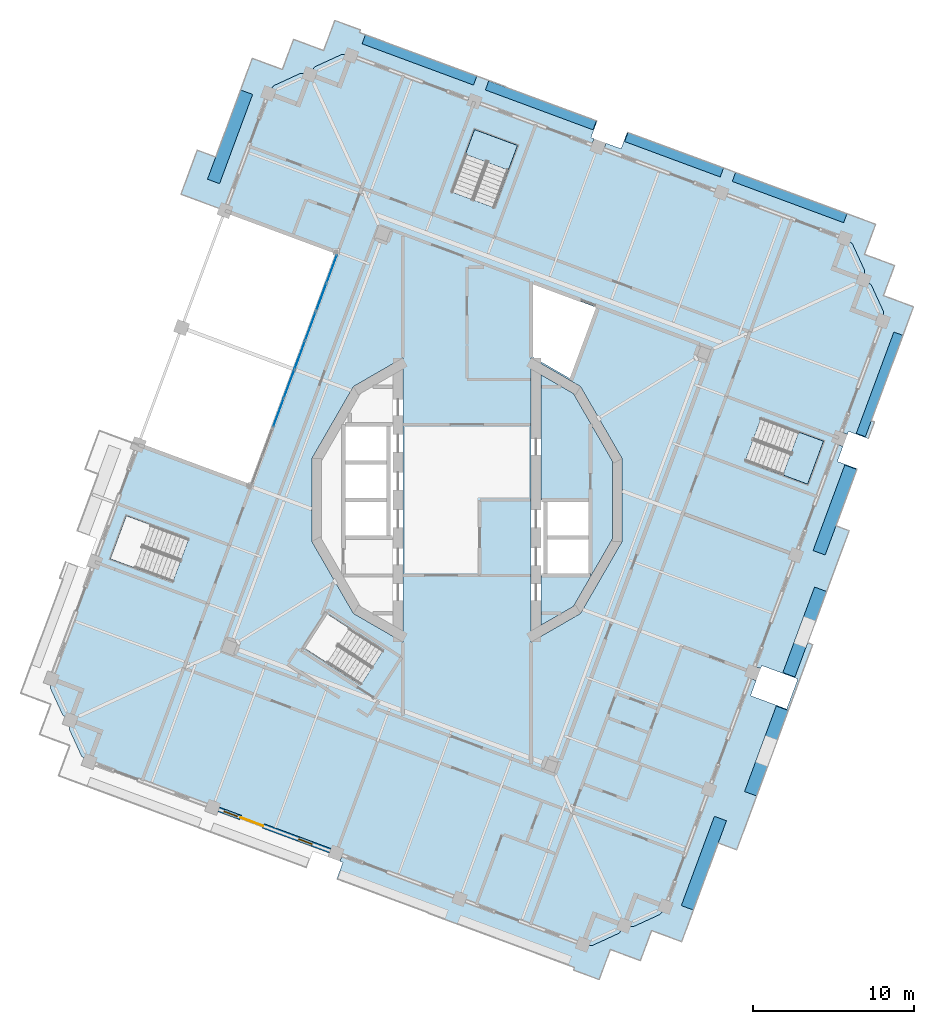
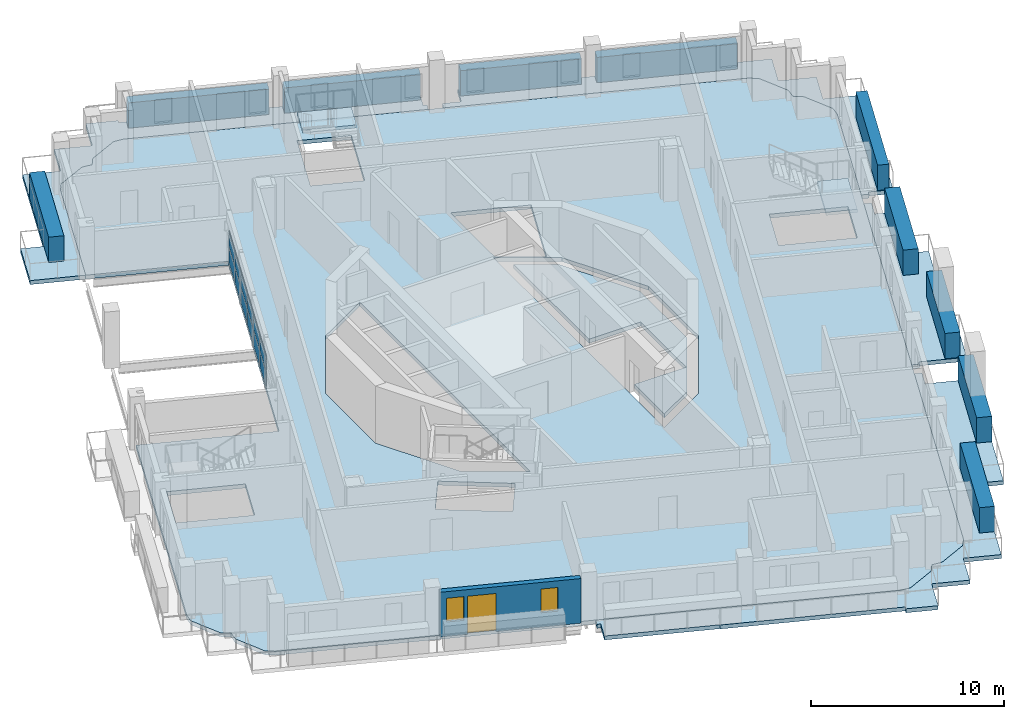
# One storey, part 6 of 20: 22 plates, 7 slabs, 2 windows, 1 door, 1 wall, 3 openings, 3 elements without a shape of their own.
"""IFC4 building model written with IfcOpenShell, lengths in metres."""

from ifc_helpers import new_model, si_unit, direction, frame, frame_2d, origin, origin_2d, place, context, subcontext, project, spatial, polyline, rectangle, outline, extrude, material, layer, layer_set, type_object, element, fill, aggregate, save


model = new_model("IFC4")

# Units and contexts
model_context = context("Model", 3, precision=1e-05, world=origin(), true_north=direction((0.0, 1.0)))
body_context = subcontext(model_context, "Body", "Model", "MODEL_VIEW")
ifc_project = project(units=[si_unit("LENGTHUNIT", "METRE"), si_unit("AREAUNIT", "SQUARE_METRE"), si_unit("VOLUMEUNIT", "CUBIC_METRE"), si_unit("PLANEANGLEUNIT", "RADIAN"), si_unit("MASSUNIT", "GRAM", prefix="KILO")], contexts=[model_context])

# Site, building, storey
site_placement = place(None, origin())
site = spatial("IfcSite", under=ifc_project, at=site_placement, CompositionType="ELEMENT")
building_placement = place(site_placement, origin())
building = spatial("IfcBuilding", under=site, at=building_placement, Name="Cantera Rosa Tower", CompositionType="ELEMENT")
storey_placement = place(building_placement, frame((0.0, 0.0, 313.300048828125)))
storey = spatial("IfcBuildingStorey", under=building, at=storey_placement, Name="L69", CompositionType="ELEMENT", Elevation=313.300048828125)

# Slabs
ifc_material_1 = material(Name="Concrete C35/45", Category="concrete")
ifc_layer_1 = layer(ifc_material_1, 0.25)
ifc_layer_set_1 = layer_set([ifc_layer_1], Name="COMPOSITE FLOOR SLAB 250 C35/45")
slab_type_1 = type_object("IfcSlabType", Name="COMPOSITE FLOOR SLAB 250 C35/45", PredefinedType="FLOOR", material=ifc_layer_set_1)
slab_1_placement = place(storey_placement, frame((0.0, 0.0, -0.25)))
element("IfcSlab", 1, at=slab_1_placement, inside=storey, type_object=slab_type_1, Name="SLAB L69 floor 2", PredefinedType="FLOOR", context=body_context, shape_type="SweptSolid", body=[
    extrude(outline(polyline([(-23.526611328125, -16.2900390625), (-23.919677734375, -16.031494140625), (-23.944091796875, -16.014892578125), (-23.966552734375, -15.99609375), (-23.987060546875, -15.974853515625), (-24.005615234375, -15.951904296875), (-24.021484375, -15.92724609375), (-24.03515625, -15.901123046875), (-24.743408203125, -14.35888671875), (-24.75439453125, -14.331787109375), (-24.7626953125, -14.303466796875), (-24.76806640625, -14.2744140625), (-24.7705078125, -14.2451171875), (-24.770263671875, -14.2158203125), (-24.76708984375, -14.186279296875), (-24.706787109375, -13.7197265625), (-25.10009765625, -13.461181640625), (-25.12451171875, -13.444580078125), (-25.14697265625, -13.42578125), (-25.16748046875, -13.404541015625), (-25.18603515625, -13.381591796875), (-25.201904296875, -13.35693359375), (-25.215576171875, -13.330810546875), (-25.923828125, -11.788818359375), (-25.934814453125, -11.76123046875), (-25.943115234375, -11.733154296875), (-25.948486328125, -11.7041015625), (-25.950927734375, -11.6748046875), (-25.95068359375, -11.6455078125), (-25.947509765625, -11.6162109375), (-25.88720703125, -11.1494140625), (-20.48046875, 3.44091796875), (-13.447998046875, 0.8349609375), (-8.041015625, 15.42529296875), (-15.07373046875, 18.031494140625), (-12.733154296875, 24.347412109375), (-12.370361328125, 25.32666015625), (-12.11181640625, 25.7197265625), (-12.09521484375, 25.744140625), (-12.076171875, 25.7666015625), (-12.05517578125, 25.787353515625), (-12.0322265625, 25.8056640625), (-12.007568359375, 25.82177734375), (-11.9814453125, 25.835205078125), (-10.439208984375, 26.543701171875), (-10.411865234375, 26.554443359375), (-10.383544921875, 26.562744140625), (-10.354736328125, 26.568115234375), (-10.325439453125, 26.57080078125), (-10.2958984375, 26.5703125), (-10.2666015625, 26.567138671875), (-9.800048828125, 26.507080078125), (-9.54150390625, 26.900146484375), (-9.52490234375, 26.924560546875), (-9.505859375, 26.947021484375), (-9.48486328125, 26.9677734375), (-9.4619140625, 26.986083984375), (-9.437255859375, 27.002197265625), (-9.4111328125, 27.015625), (-7.868896484375, 27.72412109375), (-7.841552734375, 27.735107421875), (-7.813232421875, 27.7431640625), (-7.784423828125, 27.74853515625), (-7.7548828125, 27.751220703125), (-7.7255859375, 27.750732421875), (-7.6962890625, 27.74755859375), (-7.2294921875, 27.6875), (-6.25048828125, 27.32470703125), (23.526611328125, 16.2900390625), (23.919677734375, 16.031494140625), (23.944091796875, 16.014892578125), (23.966552734375, 15.99609375), (23.987060546875, 15.974853515625), (24.005615234375, 15.951904296875), (24.021484375, 15.92724609375), (24.03515625, 15.901123046875), (24.743408203125, 14.35888671875), (24.75439453125, 14.331787109375), (24.7626953125, 14.303466796875), (24.76806640625, 14.2744140625), (24.7705078125, 14.2451171875), (24.770263671875, 14.2158203125), (24.76708984375, 14.186279296875), (24.706787109375, 13.7197265625), (25.10009765625, 13.461181640625), (25.12451171875, 13.444580078125), (25.14697265625, 13.42578125), (25.16748046875, 13.404541015625), (25.18603515625, 13.381591796875), (25.201904296875, 13.35693359375), (25.215576171875, 13.330810546875), (25.923828125, 11.788818359375), (25.934814453125, 11.76123046875), (25.943115234375, 11.733154296875), (25.948486328125, 11.7041015625), (25.950927734375, 11.6748046875), (25.95068359375, 11.6455078125), (25.947509765625, 11.6162109375), (25.88720703125, 11.1494140625), (12.733154296875, -24.347412109375), (12.370361328125, -25.32666015625), (12.11181640625, -25.7197265625), (12.09521484375, -25.744140625), (12.076171875, -25.7666015625), (12.05517578125, -25.787353515625), (12.0322265625, -25.8056640625), (12.007568359375, -25.82177734375), (11.9814453125, -25.835205078125), (10.439208984375, -26.543701171875), (10.411865234375, -26.554443359375), (10.383544921875, -26.562744140625), (10.354736328125, -26.568115234375), (10.325439453125, -26.57080078125), (10.2958984375, -26.5703125), (10.2666015625, -26.567138671875), (9.800048828125, -26.507080078125), (9.54150390625, -26.900146484375), (9.52490234375, -26.924560546875), (9.505859375, -26.947021484375), (9.48486328125, -26.9677734375), (9.4619140625, -26.986083984375), (9.437255859375, -27.002197265625), (9.4111328125, -27.015625), (7.868896484375, -27.72412109375), (7.841552734375, -27.735107421875), (7.813232421875, -27.7431640625), (7.784423828125, -27.74853515625), (7.7548828125, -27.751220703125), (7.7255859375, -27.750732421875), (7.6962890625, -27.74755859375), (7.2294921875, -27.6875), (6.25048828125, -27.32470703125), (-23.526611328125, -16.2900390625)]), holes=[polyline([(-8.581298828125, -7.1826171875), (-9.97021484375, -9.3212890625), (-6.6044921875, -11.507080078125), (-5.2158203125, -9.368408203125), (-8.581298828125, -7.1826171875)]), polyline([(-17.335693359375, -2.427490234375), (-21.2158203125, -0.989501953125), (-22.206298828125, -3.662109375), (-18.325927734375, -5.099853515625), (-17.335693359375, -2.427490234375)]), polyline([(-9.6591796875, 2.588134765625), (-9.6591796875, -2.588134765625), (-7.071044921875, -7.071044921875), (-4.0, -8.843994140625), (-4.0, 8.843994140625), (-7.071044921875, 7.071044921875), (-9.6591796875, 2.588134765625)]), polyline([(7.071044921875, -7.071044921875), (9.6591796875, -2.588134765625), (9.6591796875, 2.588134765625), (7.071044921875, 7.071044921875), (4.0, 8.843994140625), (4.0, -8.843994140625), (7.071044921875, -7.071044921875)]), polyline([(17.335693359375, 2.427490234375), (21.2158203125, 0.989501953125), (22.206298828125, 3.662109375), (18.325927734375, 5.099853515625), (17.335693359375, 2.427490234375)]), polyline([(4.10009765625, 8.90185546875), (6.427001953125, 7.558349609375), (8.0703125, 11.9931640625), (4.10009765625, 13.46435546875), (4.10009765625, 8.90185546875)]), polyline([(1.70654296875, 18.203369140625), (3.14453125, 22.08349609375), (0.47216796875, 23.07373046875), (-0.9658203125, 19.193603515625), (1.70654296875, 18.203369140625)])]), origin(), (0.0, 0.0, 1.0), 0.25),
])
slab_2_placement = place(storey_placement, frame((0.0, 0.0, -0.25)))
element("IfcSlab", 2, at=slab_2_placement, inside=storey, type_object=slab_type_1, Name="SLAB L69 floor 3", PredefinedType="FLOOR", context=body_context, shape_type="SweptSolid", body=[
    extrude(outline(polyline([(4.60009765625, 0.0), (4.60009765625, 7.804931640625), (6.6318359375, 6.6318359375), (9.059326171875, 2.427490234375), (9.059326171875, -2.427490234375), (6.6318359375, -6.6318359375), (4.60009765625, -7.804931640625), (4.60009765625, -4.699951171875), (7.699951171875, -4.699951171875), (7.699951171875, -2.35009765625), (7.699951171875, 0.0), (4.60009765625, 0.0)])), origin(), (0.0, 0.0, 1.0), 0.25),
])

# Curtain wall, plates
ifc_material_2 = material(Name="Aluminium frame with clear glass", Category="aluminium")
curtain_wall_type = type_object("IfcCurtainWallType", Name="CW1 TERRACE POCKET GLAZING", PredefinedType="NOTDEFINED", material=ifc_material_2)
curtain_wall_placement = place(storey_placement, origin())
curtain_wall = element("IfcCurtainWall", 3, at=curtain_wall_placement, inside=storey, type_object=curtain_wall_type, Name="CW1 CW1", PredefinedType="NOTDEFINED")
ifc_material_3 = material(Name="Aluminium frame with clear glass", Category="aluminium")
ifc_layer_2 = layer(ifc_material_3, 0.028076171875)
ifc_layer_set_2 = layer_set([ifc_layer_2], Name="CW-PANEL POCKET")
plate_type_1 = type_object("IfcPlateType", Name="CW-PANEL POCKET", PredefinedType="CURTAIN_PANEL", material=ifc_layer_set_2)
plate_1_placement = place(storey_placement, frame((-8.422119140625, 14.396728515625, 0.059814453125), z_axis=(0.0, 0.0, 1.0), x_axis=(-0.347481234472, -0.93768693693, 0.0)))
plate_1 = element("IfcPlate", 4, at=plate_1_placement, type_object=plate_type_1, Name="CW1 panel 1.1", PredefinedType="CURTAIN_PANEL", context=body_context, shape_type="SweptSolid", body=[
    extrude(rectangle(XDim=1.82373046875, YDim=0.028076171875, at=origin_2d()), origin(), (0.0, 0.0, 1.0), 0.97412109375),
])
plate_2_placement = place(storey_placement, frame((-8.422119140625, 14.396728515625, 1.093994140625), z_axis=(0.0, 0.0, 1.0), x_axis=(-0.347481234472, -0.93768693693, 0.0)))
plate_2 = element("IfcPlate", 5, at=plate_2_placement, type_object=plate_type_1, Name="CW1 panel 1.2", PredefinedType="CURTAIN_PANEL", context=body_context, shape_type="SweptSolid", body=[
    extrude(rectangle(XDim=1.82373046875, YDim=0.028076171875, at=origin_2d()), origin(), (0.0, 0.0, 1.0), 0.97412109375),
])
plate_3_placement = place(storey_placement, frame((-9.08203125, 12.616455078125, 0.059814453125), z_axis=(0.0, 0.0, 1.0), x_axis=(-0.347481234472, -0.93768693693, 0.0)))
plate_3 = element("IfcPlate", 6, at=plate_3_placement, type_object=plate_type_1, Name="CW1 panel 2.1", PredefinedType="CURTAIN_PANEL", context=body_context, shape_type="SweptSolid", body=[
    extrude(rectangle(XDim=1.853759765625, YDim=0.028076171875, at=origin_2d()), origin(), (0.0, 0.0, 1.0), 0.97412109375),
])
plate_4_placement = place(storey_placement, frame((-9.08203125, 12.616455078125, 1.093994140625), z_axis=(0.0, 0.0, 1.0), x_axis=(-0.347481234472, -0.93768693693, 0.0)))
plate_4 = element("IfcPlate", 7, at=plate_4_placement, type_object=plate_type_1, Name="CW1 panel 2.2", PredefinedType="CURTAIN_PANEL", context=body_context, shape_type="SweptSolid", body=[
    extrude(rectangle(XDim=1.853759765625, YDim=0.028076171875, at=origin_2d()), origin(), (0.0, 0.0, 1.0), 0.97412109375),
])
plate_5_placement = place(storey_placement, frame((-9.7470703125, 10.82177734375, 0.059814453125), z_axis=(0.0, 0.0, 1.0), x_axis=(-0.347481234472, -0.93768693693, 0.0)))
plate_5 = element("IfcPlate", 8, at=plate_5_placement, type_object=plate_type_1, Name="CW1 panel 3.1", PredefinedType="CURTAIN_PANEL", context=body_context, shape_type="SweptSolid", body=[
    extrude(rectangle(XDim=1.853759765625, YDim=0.028076171875, at=origin_2d()), origin(), (0.0, 0.0, 1.0), 0.97412109375),
])
plate_6_placement = place(storey_placement, frame((-9.7470703125, 10.82177734375, 1.093994140625), z_axis=(0.0, 0.0, 1.0), x_axis=(-0.347481234472, -0.93768693693, 0.0)))
plate_6 = element("IfcPlate", 9, at=plate_6_placement, type_object=plate_type_1, Name="CW1 panel 3.2", PredefinedType="CURTAIN_PANEL", context=body_context, shape_type="SweptSolid", body=[
    extrude(rectangle(XDim=1.853759765625, YDim=0.028076171875, at=origin_2d()), origin(), (0.0, 0.0, 1.0), 0.97412109375),
])
plate_7_placement = place(storey_placement, frame((-10.411865234375, 9.02734375, 0.059814453125), z_axis=(0.0, 0.0, 1.0), x_axis=(-0.347481234472, -0.93768693693, 0.0)))
plate_7 = element("IfcPlate", 10, at=plate_7_placement, type_object=plate_type_1, Name="CW1 panel 4.1", PredefinedType="CURTAIN_PANEL", context=body_context, shape_type="SweptSolid", body=[
    extrude(rectangle(XDim=1.853759765625, YDim=0.028076171875, at=origin_2d()), origin(), (0.0, 0.0, 1.0), 0.97412109375),
])
plate_8_placement = place(storey_placement, frame((-10.411865234375, 9.02734375, 1.093994140625), z_axis=(0.0, 0.0, 1.0), x_axis=(-0.347481234472, -0.93768693693, 0.0)))
plate_8 = element("IfcPlate", 11, at=plate_8_placement, type_object=plate_type_1, Name="CW1 panel 4.2", PredefinedType="CURTAIN_PANEL", context=body_context, shape_type="SweptSolid", body=[
    extrude(rectangle(XDim=1.853759765625, YDim=0.028076171875, at=origin_2d()), origin(), (0.0, 0.0, 1.0), 0.97412109375),
])
plate_9_placement = place(storey_placement, frame((-11.076904296875, 7.23291015625, 0.059814453125), z_axis=(0.0, 0.0, 1.0), x_axis=(-0.347481234472, -0.93768693693, 0.0)))
plate_9 = element("IfcPlate", 12, at=plate_9_placement, type_object=plate_type_1, Name="CW1 panel 5.1", PredefinedType="CURTAIN_PANEL", context=body_context, shape_type="SweptSolid", body=[
    extrude(rectangle(XDim=1.853759765625, YDim=0.028076171875, at=origin_2d()), origin(), (0.0, 0.0, 1.0), 0.97412109375),
])
plate_10_placement = place(storey_placement, frame((-11.076904296875, 7.23291015625, 1.093994140625), z_axis=(0.0, 0.0, 1.0), x_axis=(-0.347481234472, -0.93768693693, 0.0)))
plate_10 = element("IfcPlate", 13, at=plate_10_placement, type_object=plate_type_1, Name="CW1 panel 5.2", PredefinedType="CURTAIN_PANEL", context=body_context, shape_type="SweptSolid", body=[
    extrude(rectangle(XDim=1.853759765625, YDim=0.028076171875, at=origin_2d()), origin(), (0.0, 0.0, 1.0), 0.97412109375),
])
plate_11_placement = place(storey_placement, frame((-11.741943359375, 5.4384765625, 0.059814453125), z_axis=(0.0, 0.0, 1.0), x_axis=(-0.347481234472, -0.93768693693, 0.0)))
plate_11 = element("IfcPlate", 14, at=plate_11_placement, type_object=plate_type_1, Name="CW1 panel 6.1", PredefinedType="CURTAIN_PANEL", context=body_context, shape_type="SweptSolid", body=[
    extrude(rectangle(XDim=1.853759765625, YDim=0.028076171875, at=origin_2d()), origin(), (0.0, 0.0, 1.0), 0.97412109375),
])
plate_12_placement = place(storey_placement, frame((-11.741943359375, 5.4384765625, 1.093994140625), z_axis=(0.0, 0.0, 1.0), x_axis=(-0.347481234472, -0.93768693693, 0.0)))
plate_12 = element("IfcPlate", 15, at=plate_12_placement, type_object=plate_type_1, Name="CW1 panel 6.2", PredefinedType="CURTAIN_PANEL", context=body_context, shape_type="SweptSolid", body=[
    extrude(rectangle(XDim=1.853759765625, YDim=0.028076171875, at=origin_2d()), origin(), (0.0, 0.0, 1.0), 0.97412109375),
])
aggregate(curtain_wall, [plate_1, plate_2, plate_3, plate_4, plate_5, plate_6, plate_7, plate_8, plate_9, plate_10, plate_11, plate_12])

# Slabs
ifc_material_4 = material(Name="Concrete C35/45", Category="concrete")
ifc_layer_3 = layer(ifc_material_4, 0.25)
ifc_layer_set_3 = layer_set([ifc_layer_3], Name="LOGGIA SLAB 250 C35/45")
slab_type_2 = type_object("IfcSlabType", Name="LOGGIA SLAB 250 C35/45", PredefinedType="FLOOR", material=ifc_layer_set_3)
slab_3_placement = place(storey_placement, frame((0.0, 0.0, -0.25)))
element("IfcSlab", 16, at=slab_3_placement, inside=storey, type_object=slab_type_2, Name="LOGGIA SLAB L69 3", PredefinedType="FLOOR", context=body_context, shape_type="SweptSolid", body=[
    extrude(outline(polyline([(-15.651611328125, 21.36474609375), (-13.96435546875, 25.917236328125), (-13.373779296875, 27.511474609375), (-11.779541015625, 26.920654296875), (-11.498291015625, 26.81640625), (-11.39404296875, 27.097900390625), (-10.80322265625, 28.69189453125), (-9.209228515625, 28.10107421875), (-8.927978515625, 27.996826171875), (-8.23291015625, 29.872314453125), (-6.638916015625, 29.281494140625), (-6.69921875, 29.119140625), (2.421630859375, 25.7392578125), (2.412353515625, 25.714111328125), (7.26318359375, 23.91650390625), (8.10693359375, 23.603759765625), (7.724853515625, 22.572265625), (7.912353515625, 22.502685546875), (7.7734375, 22.127685546875), (-6.25048828125, 27.32470703125), (-7.2294921875, 27.6875), (-7.6962890625, 27.74755859375), (-7.7255859375, 27.750732421875), (-7.7548828125, 27.751220703125), (-7.784423828125, 27.74853515625), (-7.813232421875, 27.7431640625), (-7.841552734375, 27.735107421875), (-7.868896484375, 27.72412109375), (-9.4111328125, 27.015625), (-9.437255859375, 27.002197265625), (-9.4619140625, 26.986083984375), (-9.48486328125, 26.9677734375), (-9.505859375, 26.947021484375), (-9.52490234375, 26.924560546875), (-9.54150390625, 26.900146484375), (-9.800048828125, 26.507080078125), (-10.2666015625, 26.567138671875), (-10.2958984375, 26.5703125), (-10.325439453125, 26.57080078125), (-10.354736328125, 26.568115234375), (-10.383544921875, 26.562744140625), (-10.411865234375, 26.554443359375), (-10.439208984375, 26.543701171875), (-11.9814453125, 25.835205078125), (-12.007568359375, 25.82177734375), (-12.0322265625, 25.8056640625), (-12.05517578125, 25.787353515625), (-12.076171875, 25.7666015625), (-12.09521484375, 25.744140625), (-12.11181640625, 25.7197265625), (-12.370361328125, 25.32666015625), (-12.733154296875, 24.347412109375), (-15.07373046875, 18.031494140625), (-17.81640625, 19.047607421875), (-16.7998046875, 21.790283203125), (-15.651611328125, 21.36474609375)])), origin(), (0.0, 0.0, 1.0), 0.25),
])
slab_4_placement = place(storey_placement, frame((0.0, 0.0, -0.25)))
element("IfcSlab", 17, at=slab_4_placement, inside=storey, type_object=slab_type_2, Name="LOGGIA SLAB L69 4", PredefinedType="FLOOR", context=body_context, shape_type="SweptSolid", body=[
    extrude(outline(polyline([(13.96435546875, -25.917236328125), (13.373779296875, -27.511474609375), (11.779541015625, -26.920654296875), (11.498291015625, -26.81640625), (11.39404296875, -27.097900390625), (10.80322265625, -28.69189453125), (9.209228515625, -28.10107421875), (8.927978515625, -27.996826171875), (8.23291015625, -29.872314453125), (6.638916015625, -29.281494140625), (6.69921875, -29.119140625), (-2.421630859375, -25.7392578125), (-2.412353515625, -25.714111328125), (-7.26318359375, -23.91650390625), (-8.10693359375, -23.603759765625), (-7.724853515625, -22.572265625), (-7.912353515625, -22.502685546875), (-7.7734375, -22.127685546875), (6.25048828125, -27.32470703125), (7.2294921875, -27.6875), (7.6962890625, -27.74755859375), (7.7255859375, -27.750732421875), (7.7548828125, -27.751220703125), (7.784423828125, -27.74853515625), (7.813232421875, -27.7431640625), (7.841552734375, -27.735107421875), (7.868896484375, -27.72412109375), (9.4111328125, -27.015625), (9.437255859375, -27.002197265625), (9.4619140625, -26.986083984375), (9.48486328125, -26.9677734375), (9.505859375, -26.947021484375), (9.52490234375, -26.924560546875), (9.54150390625, -26.900146484375), (9.800048828125, -26.507080078125), (10.2666015625, -26.567138671875), (10.2958984375, -26.5703125), (10.325439453125, -26.57080078125), (10.354736328125, -26.568115234375), (10.383544921875, -26.562744140625), (10.411865234375, -26.554443359375), (10.439208984375, -26.543701171875), (11.9814453125, -25.835205078125), (12.007568359375, -25.82177734375), (12.0322265625, -25.8056640625), (12.05517578125, -25.787353515625), (12.076171875, -25.7666015625), (12.09521484375, -25.744140625), (12.11181640625, -25.7197265625), (12.370361328125, -25.32666015625), (12.733154296875, -24.347412109375), (17.63818359375, -11.111328125), (18.01318359375, -11.250244140625), (17.665771484375, -12.18798828125), (19.916259765625, -13.02197265625), (20.611083984375, -11.146484375), (18.360595703125, -10.3125), (18.291259765625, -10.5), (17.916015625, -10.361083984375), (23.044921875, 3.47900390625), (23.419921875, 3.340087890625), (23.072509765625, 2.40234375), (24.3017578125, 1.947021484375), (22.98388671875, -1.609375), (23.805908203125, -1.913818359375), (21.2197265625, -8.892822265625), (21.535888671875, -9.010009765625), (16.7998046875, -21.790283203125), (15.651611328125, -21.36474609375), (13.96435546875, -25.917236328125)])), origin(), (0.0, 0.0, 1.0), 0.25),
])
slab_5_placement = place(storey_placement, frame((0.0, 0.0, -0.25)))
element("IfcSlab", 18, at=slab_5_placement, inside=storey, type_object=slab_type_2, Name="LOGGIA SLAB L69 5", PredefinedType="FLOOR", context=body_context, shape_type="SweptSolid", body=[
    extrude(outline(polyline([(17.76513671875, 20.024658203125), (24.047607421875, 17.696533203125), (25.454345703125, 17.17529296875), (24.93310546875, 15.768798828125), (24.75927734375, 15.300048828125), (25.22802734375, 15.126220703125), (26.634765625, 14.60498046875), (26.11328125, 13.198486328125), (25.939697265625, 12.729736328125), (26.408447265625, 12.555908203125), (27.815185546875, 12.03466796875), (27.2939453125, 10.628173828125), (25.18505859375, 4.937255859375), (25.3828125, 4.864013671875), (24.996826171875, 3.822265625), (23.767578125, 4.27783203125), (23.697998046875, 4.09033203125), (23.322998046875, 4.229248046875), (25.88720703125, 11.1494140625), (25.947509765625, 11.6162109375), (25.95068359375, 11.6455078125), (25.950927734375, 11.6748046875), (25.948486328125, 11.7041015625), (25.943115234375, 11.733154296875), (25.934814453125, 11.76123046875), (25.923828125, 11.788818359375), (25.215576171875, 13.330810546875), (25.201904296875, 13.35693359375), (25.18603515625, 13.381591796875), (25.16748046875, 13.404541015625), (25.14697265625, 13.42578125), (25.12451171875, 13.444580078125), (25.10009765625, 13.461181640625), (24.706787109375, 13.7197265625), (24.76708984375, 14.186279296875), (24.770263671875, 14.2158203125), (24.7705078125, 14.2451171875), (24.76806640625, 14.2744140625), (24.7626953125, 14.303466796875), (24.75439453125, 14.331787109375), (24.743408203125, 14.35888671875), (24.03515625, 15.901123046875), (24.021484375, 15.92724609375), (24.005615234375, 15.951904296875), (23.987060546875, 15.974853515625), (23.966552734375, 15.99609375), (23.944091796875, 16.014892578125), (23.919677734375, 16.031494140625), (23.526611328125, 16.2900390625), (8.5234375, 21.849853515625), (8.66259765625, 22.224853515625), (9.60009765625, 21.87744140625), (9.982421875, 22.90869140625), (10.076171875, 22.8740234375), (14.9521484375, 21.067138671875), (17.76513671875, 20.024658203125)])), origin(), (0.0, 0.0, 1.0), 0.25),
])

# Plates
ifc_material_5 = material(Name="Cantera stone planter with soil", Category="masonry")
plate_type_2 = type_object("IfcPlateType", Name="PLANTER 600", PredefinedType="USERDEFINED", material=ifc_material_5)
plate_13_placement = place(storey_placement, frame((20.098876953125, 18.83984375, 0.0), z_axis=(0.0, 0.0, 1.0), x_axis=(-0.937686936924, 0.347481234489, 0.0)))
element("IfcPlate", 19, at=plate_13_placement, inside=storey, type_object=plate_type_2, Name="PLANTER L69-01", ObjectType="PLANTER", PredefinedType="USERDEFINED", context=body_context, shape_type="SweptSolid", body=[
    extrude(rectangle(XDim=7.39990234375, YDim=0.60009765625, at=origin_2d()), origin(), (0.0, 0.0, 1.0), 1.60009765625),
])
plate_14_placement = place(storey_placement, frame((12.902099609375, 21.5068359375, 0.0), z_axis=(0.0, 0.0, 1.0), x_axis=(-0.937686936924, 0.347481234489, 0.0)))
element("IfcPlate", 20, at=plate_14_placement, inside=storey, type_object=plate_type_2, Name="PLANTER L69-02", ObjectType="PLANTER", PredefinedType="USERDEFINED", context=body_context, shape_type="SweptSolid", body=[
    extrude(rectangle(XDim=6.35009765625, YDim=0.60009765625, at=origin_2d()), origin(), (0.0, 0.0, 1.0), 1.60009765625),
])
plate_15_placement = place(storey_placement, frame((4.603759765625, 24.58203125, 0.0), z_axis=(0.0, 0.0, 1.0), x_axis=(-0.937686936924, 0.347481234489, 0.0)))
element("IfcPlate", 21, at=plate_15_placement, inside=storey, type_object=plate_type_2, Name="PLANTER L69-03", ObjectType="PLANTER", PredefinedType="USERDEFINED", context=body_context, shape_type="SweptSolid", body=[
    extrude(rectangle(XDim=7.14990234375, YDim=0.60009765625, at=origin_2d()), origin(), (0.0, 0.0, 1.0), 1.60009765625),
])
plate_16_placement = place(storey_placement, frame((-2.958740234375, 27.4130859375, 0.0), z_axis=(0.0, 0.0, 1.0), x_axis=(-0.937686936924, 0.347481234489, 0.0)))
element("IfcPlate", 22, at=plate_16_placement, inside=storey, type_object=plate_type_2, Name="PLANTER L69-04", ObjectType="PLANTER", PredefinedType="USERDEFINED", context=body_context, shape_type="SweptSolid", body=[
    extrude(rectangle(XDim=7.39990234375, YDim=0.60009765625, at=origin_2d()), origin(), (0.0, 0.0, 1.0), 1.60009765625),
])
plate_17_placement = place(storey_placement, frame((25.704345703125, 7.201904296875, 0.0), z_axis=(0.0, 0.0, 1.0), x_axis=(0.347481234489, 0.937686936924, 0.0)))
element("IfcPlate", 23, at=plate_17_placement, inside=storey, type_object=plate_type_2, Name="PLANTER L69-18", ObjectType="PLANTER", PredefinedType="USERDEFINED", context=body_context, shape_type="SweptSolid", body=[
    extrude(rectangle(XDim=6.72998046875, YDim=0.60009765625, at=origin_2d()), origin(), (0.0, 0.0, 1.0), 1.60009765625),
])
ifc_material_6 = material(Name="Cantera stone planter with soil", Category="masonry")
plate_type_3 = type_object("IfcPlateType", Name="PLANTER 800", PredefinedType="USERDEFINED", material=ifc_material_6)
for number, where, z_axis, x_axis, name in (
    (24, (-14.758544921875, 22.623046875, 0.0), (0.0, 0.0, 1.0), (-0.347481234489, -0.937686936924, 0.0), "PLANTER L69-05"),
    (25, (14.758544921875, -22.623046875, 0.0), (0.0, 0.0, 1.0), (0.347481234489, 0.937686936924, 0.0), "PLANTER L69-14"),
):
    element("IfcPlate", number, at=place(storey_placement, frame(where, z_axis=z_axis, x_axis=x_axis)), inside=storey, type_object=plate_type_3, Name=name, ObjectType="PLANTER", PredefinedType="USERDEFINED", context=body_context, shape_type="SweptSolid", body=[
        extrude(rectangle(XDim=5.929931640625, YDim=0.800048828125, at=origin_2d()), origin(), (0.0, 0.0, 1.0), 1.60009765625),
    ])
for number, where, z_axis, x_axis, name in (
    (26, (18.65380859375, -15.63623046875, 0.0), (0.0, 0.0, 1.0), (0.347481234489, 0.937686936924, 0.0), "PLANTER L69-15"),
    (27, (21.041015625, -8.223876953125, 0.0), (0.0, 0.0, 1.0), (0.347481234489, 0.937686936924, 0.0), "PLANTER L69-16"),
    (28, (22.922607421875, -0.6240234375, 0.0), (0.0, 0.0, 1.0), (0.347481234489, 0.937686936924, 0.0), "PLANTER L69-17"),
):
    element("IfcPlate", number, at=place(storey_placement, frame(where, z_axis=z_axis, x_axis=x_axis)), inside=storey, type_object=plate_type_3, Name=name, ObjectType="PLANTER", PredefinedType="USERDEFINED", context=body_context, shape_type="SweptSolid", body=[
        extrude(rectangle(XDim=5.679931640625, YDim=0.800048828125, at=origin_2d()), origin(), (0.0, 0.0, 1.0), 1.60009765625),
    ])

# Stair, slab
ifc_material_7 = material(Name="Concrete C35/45", Category="concrete")
stair_type = type_object("IfcStairType", Name="EXIT STAIR 1350 DOGLEG", PredefinedType="HALF_TURN_STAIR", material=ifc_material_7)
stair_1_placement = place(storey_placement, origin())
stair_1 = element("IfcStair", 29, at=stair_1_placement, inside=storey, type_object=stair_type, Name="L69 ST-61", PredefinedType="HALF_TURN_STAIR")
ifc_material_8 = material(Name="Concrete C35/45", Category="concrete")
ifc_layer_4 = layer(ifc_material_8, 0.199951171875)
ifc_layer_set_4 = layer_set([ifc_layer_4], Name="STAIR LANDING 200")
slab_type_3 = type_object("IfcSlabType", Name="STAIR LANDING 200", PredefinedType="LANDING", material=ifc_layer_set_4)
slab_6_placement = place(storey_placement, frame((0.0, 0.0, 1.599853515625)))
slab_6 = element("IfcSlab", 30, at=slab_6_placement, type_object=slab_type_3, Name="ST-61 landing 1", PredefinedType="LANDING", context=body_context, shape_type="SweptSolid", body=[
    extrude(outline(polyline([(19.67626953125, 1.56005859375), (21.2158203125, 0.989501953125), (22.206298828125, 3.661865234375), (20.66650390625, 4.232421875), (19.67626953125, 1.56005859375)])), origin(), (0.0, 0.0, 1.0), 0.2001953125),
])
aggregate(stair_1, [slab_6])

stair_2_placement = place(storey_placement, origin())
stair_2 = element("IfcStair", 31, at=stair_2_placement, inside=storey, type_object=stair_type, Name="L69 ST-62", PredefinedType="HALF_TURN_STAIR")
slab_7_placement = place(storey_placement, frame((0.0, 0.0, 1.599853515625)))
slab_7 = element("IfcSlab", 32, at=slab_7_placement, type_object=slab_type_3, Name="ST-62 landing 1", PredefinedType="LANDING", context=body_context, shape_type="SweptSolid", body=[
    extrude(outline(polyline([(2.573974609375, 20.543701171875), (3.14453125, 22.08349609375), (0.47216796875, 23.07373046875), (-0.098388671875, 21.5341796875), (2.573974609375, 20.543701171875)])), origin(), (0.0, 0.0, 1.0), 0.2001953125),
])
aggregate(stair_2, [slab_7])

# Wall, openings, windows, door
ifc_material_9 = material(Name="Hollow clay masonry with cantera stone cladding", Category="masonry")
ifc_layer_5 = layer(ifc_material_9, 0.300048828125)
ifc_layer_set_5 = layer_set([ifc_layer_5], Name="EW-LOGGIA 300 H2820")
wall_type = type_object("IfcWallType", Name="EW-LOGGIA 300 H2820", PredefinedType="SOLIDWALL", material=ifc_layer_set_5)
wall_placement = place(storey_placement, frame((-15.46240234375, -19.2783203125, 0.0), z_axis=(0.0, 0.0, 1.0), x_axis=(0.937680690562, -0.34749808999, 0.0)))
wall = element("IfcWall", 33, at=wall_placement, inside=storey, type_object=wall_type, Name="EN-L69-W15", PredefinedType="SOLIDWALL", context=body_context, shape_type="SweptSolid", body=[
    extrude(rectangle(XDim=7.400146484375, YDim=0.300048828125, at=frame_2d((3.7001953125, 0.0))), origin(), (0.0, 0.0, 1.0), 2.820068359375),
])
opening_1_placement = place(wall_placement, frame((0.35009765625, 0.0, 0.89990234375)))
opening_1 = element("IfcOpeningElement", 34, at=opening_1_placement, cuts=wall, Name="Opening L69-W25", PredefinedType="OPENING", context=body_context, shape_type="SweptSolid", body=[
    extrude(rectangle(XDim=0.89990234375, YDim=1.5, at=frame_2d((0.449951171875, 0.75))), frame((0.0, 0.159912109375, 0.0), z_axis=(0.0, -1.0, 0.0), x_axis=(1.0, 0.0, 0.0)), (0.0, 0.0, 1.0), 0.320068359375),
])
opening_2_placement = place(wall_placement, frame((1.449951171875, 0.0, 0.0)))
opening_2 = element("IfcOpeningElement", 35, at=opening_2_placement, cuts=wall, Name="Opening L69-TD26", PredefinedType="OPENING", context=body_context, shape_type="SweptSolid", body=[
    extrude(rectangle(XDim=1.5, YDim=2.39990234375, at=frame_2d((0.75, 1.199951171875))), frame((0.0, 0.159912109375, 0.0), z_axis=(0.0, -1.0, 0.0), x_axis=(1.0, 0.0, 0.0)), (0.0, 0.0, 1.0), 0.320068359375),
])
opening_3_placement = place(wall_placement, frame((5.300048828125, 0.0, 0.89990234375)))
opening_3 = element("IfcOpeningElement", 36, at=opening_3_placement, cuts=wall, Name="Opening L69-W27", PredefinedType="OPENING", context=body_context, shape_type="SweptSolid", body=[
    extrude(rectangle(XDim=0.89990234375, YDim=1.5, at=frame_2d((0.449951171875, 0.75))), frame((0.0, 0.159912109375, 0.0), z_axis=(0.0, -1.0, 0.0), x_axis=(1.0, 0.0, 0.0)), (0.0, 0.0, 1.0), 0.320068359375),
])
ifc_material_10 = material(Name="Aluminium frame with clear glass", Category="aluminium")
window_type = type_object("IfcWindowType", Name="Residential window 900x1500", PartitioningType="SINGLE_PANEL", PredefinedType="WINDOW", material=ifc_material_10)
window_1_placement = place(opening_1_placement, origin())
window_1 = element("IfcWindow", 37, at=window_1_placement, inside=storey, type_object=window_type, Name="WINDOW L69-W25", OverallHeight=1.5, OverallWidth=0.89990234375, PartitioningType="SINGLE_PANEL", PredefinedType="WINDOW", context=body_context, shape_type="SweptSolid", body=[
    extrude(rectangle(XDim=0.89990234375, YDim=1.5, at=frame_2d((0.449951171875, 0.75))), frame((0.0, 0.030029296875, 0.0), z_axis=(0.0, -1.0, 0.0), x_axis=(1.0, 0.0, 0.0)), (0.0, 0.0, 1.0), 0.06005859375),
])
fill(opening_1, window_1)
window_2_placement = place(opening_3_placement, origin())
window_2 = element("IfcWindow", 38, at=window_2_placement, inside=storey, type_object=window_type, Name="WINDOW L69-W27", OverallHeight=1.5, OverallWidth=0.89990234375, PartitioningType="SINGLE_PANEL", PredefinedType="WINDOW", context=body_context, shape_type="SweptSolid", body=[
    extrude(rectangle(XDim=0.89990234375, YDim=1.5, at=frame_2d((0.449951171875, 0.75))), frame((0.0, 0.030029296875, 0.0), z_axis=(0.0, -1.0, 0.0), x_axis=(1.0, 0.0, 0.0)), (0.0, 0.0, 1.0), 0.06005859375),
])
fill(opening_3, window_2)
ifc_material_11 = material(Name="Aluminium frame with clear glass", Category="aluminium")
door_type = type_object("IfcDoorType", Name="TD-R 1500x2400", OperationType="NOTDEFINED", PredefinedType="DOOR", material=ifc_material_11)
door_placement = place(opening_2_placement, origin())
door = element("IfcDoor", 39, at=door_placement, inside=storey, type_object=door_type, Name="LOGGIA DOOR L69-TD26", OperationType="SLIDING_TO_LEFT", OverallHeight=2.39990234375, OverallWidth=1.5, PredefinedType="DOOR", context=body_context, shape_type="SweptSolid", body=[
    extrude(rectangle(XDim=1.5, YDim=2.39990234375, at=frame_2d((0.75, 1.199951171875))), frame((0.0, 0.02490234375, 0.0), z_axis=(0.0, -1.0, 0.0), x_axis=(1.0, 0.0, 0.0)), (0.0, 0.0, 1.0), 0.050048828125),
])
fill(opening_2, door)

save(model, "model.ifc")
